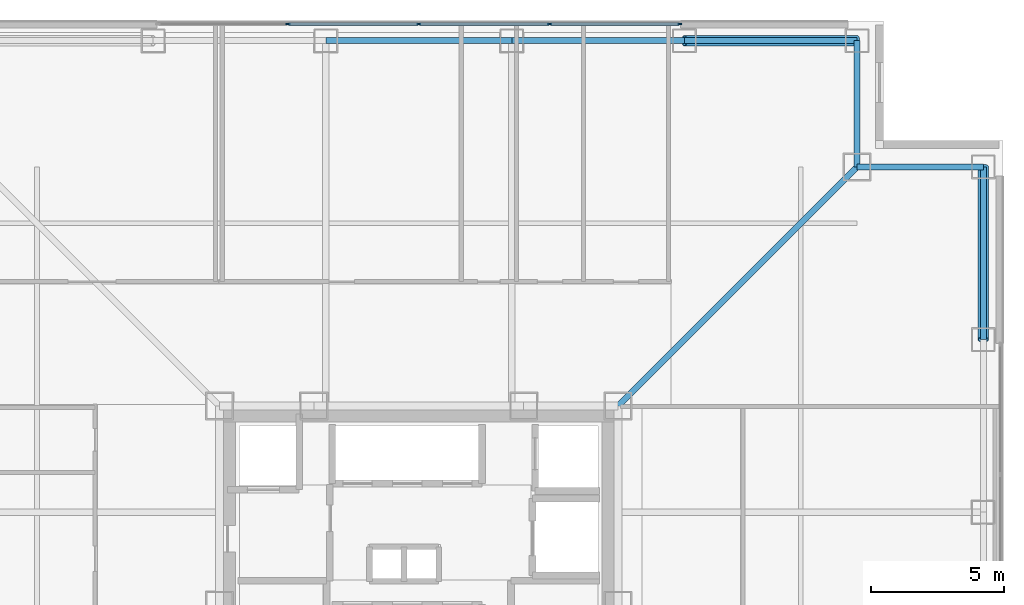
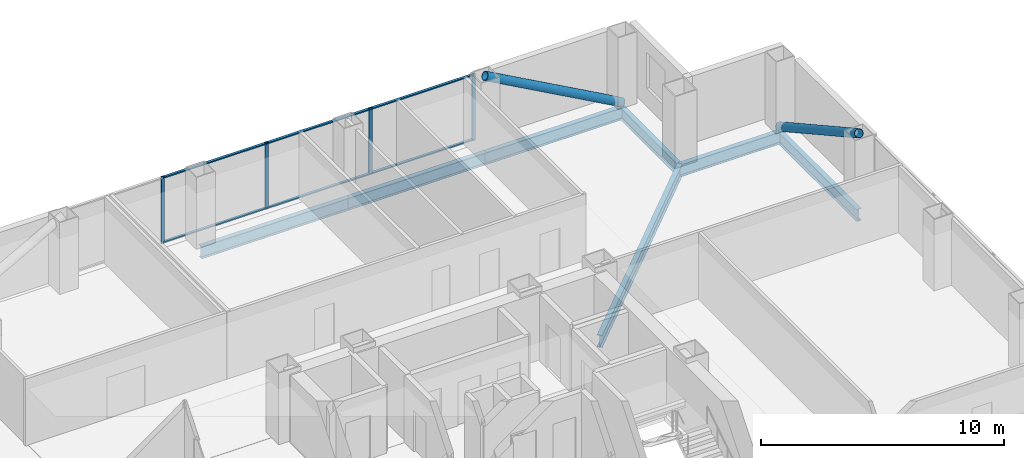
# One storey, part 10 of 16: 12 members, 7 beams, 1 element without a shape of its own.
"""IFC4 building model written with IfcOpenShell, lengths in metres."""

from ifc_helpers import new_model, si_unit, direction, frame, origin, origin_2d, place, context, subcontext, project, spatial, rectangle, hollow_circle, i_section, extrude, material, layer, layer_set, material_profile, profile_set, type_object, element, aggregate, save


model = new_model("IFC4")

# Units and contexts
model_context = context("Model", 3, precision=1e-05, world=origin(), true_north=direction((0.0, 1.0)))
body_context = subcontext(model_context, "Body", "Model", "MODEL_VIEW")
ifc_project = project(units=[si_unit("LENGTHUNIT", "METRE"), si_unit("AREAUNIT", "SQUARE_METRE"), si_unit("VOLUMEUNIT", "CUBIC_METRE"), si_unit("PLANEANGLEUNIT", "RADIAN"), si_unit("MASSUNIT", "GRAM", prefix="KILO")], contexts=[model_context])

# Site, building, storey
site_placement = place(None, origin())
site = spatial("IfcSite", under=ifc_project, at=site_placement, CompositionType="ELEMENT")
building_placement = place(site_placement, origin())
building = spatial("IfcBuilding", under=site, at=building_placement, Name="Trevonay Congress Spire", CompositionType="ELEMENT")
storey_placement = place(building_placement, frame((0.0, 0.0, 101.199951171875)))
storey = spatial("IfcBuildingStorey", under=building, at=storey_placement, Name="L25", CompositionType="ELEMENT", Elevation=101.199951171875)

# Beams
ifc_material_1 = material(Name="Steel ASTM A572 Grade 50", Category="steel")
ifc_material_profile_1 = material_profile(ifc_material_1, i_section(OverallWidth=0.22998046875, OverallDepth=0.616943359375, WebThickness=0.01318359375, FlangeThickness=0.022216796875, FilletRadius=0.01611328125, at=origin_2d()), Name="W610x140")
ifc_profile_set_1 = profile_set([ifc_material_profile_1], Name="Steel ASTM A572 Grade 50")
beam_type_1 = type_object("IfcBeamType", Name="BM-GIRD-W610X140", PredefinedType="BEAM", material=ifc_profile_set_1)
beam_1_placement = place(storey_placement, frame((7.5, 7.5, -0.54833984375), z_axis=(0.707106781187, 0.707106781187, 0.0), x_axis=(-0.707106781187, 0.707106781187, 0.0)))
element("IfcBeam", 1, at=beam_1_placement, inside=storey, type_object=beam_type_1, Name="L25 structural beam BM-L25-CDNE", PredefinedType="BEAM", context=body_context, shape_type="SweptSolid", body=[
    extrude(i_section(OverallWidth=0.22998046875, OverallDepth=0.616943359375, WebThickness=0.01318359375, FlangeThickness=0.022216796875, FilletRadius=0.01611328125, at=origin_2d()), origin(), (0.0, 0.0, 1.0), 12.72802734375),
])
ifc_material_profile_2 = material_profile(ifc_material_1, i_section(OverallWidth=0.22802734375, OverallDepth=0.60791015625, WebThickness=0.01123046875, FlangeThickness=0.017333984375, FilletRadius=0.01611328125, at=origin_2d()), Name="W610x113")
ifc_profile_set_2 = profile_set([ifc_material_profile_2], Name="Steel ASTM A572 Grade 50")
beam_type_2 = type_object("IfcBeamType", Name="BM-RING-W610X113", PredefinedType="BEAM", material=ifc_profile_set_2)
beam_2_placement = place(storey_placement, frame((-3.5, 21.25, -0.5439453125), z_axis=(1.0, 0.0, 0.0), x_axis=(0.0, 1.0, 0.0)))
element("IfcBeam", 2, at=beam_2_placement, inside=storey, type_object=beam_type_2, Name="L25 structural beam BM-L25-PN3", PredefinedType="BEAM", context=body_context, shape_type="SweptSolid", body=[
    extrude(i_section(OverallWidth=0.22802734375, OverallDepth=0.60791015625, WebThickness=0.01123046875, FlangeThickness=0.017333984375, FilletRadius=0.01611328125, at=origin_2d()), origin(), (0.0, 0.0, 1.0), 7.0),
])
for number, where, z_axis, x_axis, name in (
    (3, (3.5, 21.25, -0.5439453125), (1.0, 0.0, 0.0), (0.0, 1.0, 0.0), "L25 structural beam BM-L25-PN4"),
    (4, (10.0, 21.25, -0.5439453125), (1.0, 0.0, 0.0), (0.0, 1.0, 0.0), "L25 structural beam BM-L25-PN5"),
    (5, (21.25, 10.0, -0.5439453125), (0.0, 1.0, 0.0), (-1.0, 0.0, 0.0), "L25 structural beam BM-L25-PE5"),
):
    element("IfcBeam", number, at=place(storey_placement, frame(where, z_axis=z_axis, x_axis=x_axis)), inside=storey, type_object=beam_type_2, Name=name, PredefinedType="BEAM", context=body_context, shape_type="SweptSolid", body=[
        extrude(i_section(OverallWidth=0.22802734375, OverallDepth=0.60791015625, WebThickness=0.01123046875, FlangeThickness=0.017333984375, FilletRadius=0.01611328125, at=origin_2d()), origin(), (0.0, 0.0, 1.0), 6.5),
    ])
for number, where, z_axis, x_axis, name in (
    (6, (16.5, 21.25, -0.5439453125), (0.0, -1.0, 0.0), (1.0, 0.0, 0.0), "L25 structural beam BM-L25-N1NE"),
    (7, (21.25, 16.5, -0.5439453125), (-1.0, 0.0, 0.0), (0.0, -1.0, 0.0), "L25 structural beam BM-L25-N2NE"),
):
    element("IfcBeam", number, at=place(storey_placement, frame(where, z_axis=z_axis, x_axis=x_axis)), inside=storey, type_object=beam_type_2, Name=name, PredefinedType="BEAM", context=body_context, shape_type="SweptSolid", body=[
        extrude(i_section(OverallWidth=0.22802734375, OverallDepth=0.60791015625, WebThickness=0.01123046875, FlangeThickness=0.017333984375, FilletRadius=0.01611328125, at=origin_2d()), origin(), (0.0, 0.0, 1.0), 4.75),
    ])

# Curtain wall, members
ifc_material_2 = material(Name="Pale Anodised Aluminium EN AW-6063-T6", Category="aluminium")
ifc_layer = layer(ifc_material_2, 0.175048828125, Name="Pale Anodised Aluminium EN AW-6063-T6")
ifc_layer_set = layer_set([ifc_layer], Name="Pale Anodised Aluminium EN AW-6063-T6")
curtain_wall_type = type_object("IfcCurtainWallType", Name="CW-SYS03-CONGRESS-PALE-METAL", PredefinedType="NOTDEFINED", material=ifc_layer_set)
curtain_wall_placement = place(storey_placement, origin())
curtain_wall = element("IfcCurtainWall", 8, at=curtain_wall_placement, inside=storey, type_object=curtain_wall_type, Name="L25 N unitised curtain wall", PredefinedType="NOTDEFINED")
ifc_material_profile_3 = material_profile(ifc_material_2, rectangle(XDim=0.06005859375, YDim=0.159912109375, at=origin_2d()), Name="CW-MULLION-160-ALUMINIUM")
ifc_profile_set_3 = profile_set([ifc_material_profile_3], Name="Pale Anodised Aluminium EN AW-6063-T6")
member_type_1 = type_object("IfcMemberType", Name="CW-MULLION-160-ALUMINIUM", PredefinedType="MULLION", material=ifc_profile_set_3)
member_1_placement = place(storey_placement, frame((-4.925048828125, 21.8798828125, 0.0), z_axis=(0.0, 0.0, 1.0), x_axis=(0.0, 1.0, 0.0)))
member_1 = element("IfcMember", 9, at=member_1_placement, type_object=member_type_1, Name="CW03 mullion 2", PredefinedType="MULLION", context=body_context, shape_type="SweptSolid", body=[
    extrude(rectangle(XDim=0.06005859375, YDim=0.159912109375, at=origin_2d()), origin(), (0.0, 0.0, 1.0), 3.360107421875),
])
member_2_placement = place(storey_placement, frame((0.0, 21.8798828125, 0.0), z_axis=(0.0, 0.0, 1.0), x_axis=(0.0, 1.0, 0.0)))
member_2 = element("IfcMember", 10, at=member_2_placement, type_object=member_type_1, Name="CW03 mullion 3", PredefinedType="MULLION", context=body_context, shape_type="SweptSolid", body=[
    extrude(rectangle(XDim=0.06005859375, YDim=0.159912109375, at=origin_2d()), origin(), (0.0, 0.0, 1.0), 3.360107421875),
])
member_3_placement = place(storey_placement, frame((4.925048828125, 21.8798828125, 0.0), z_axis=(0.0, 0.0, 1.0), x_axis=(0.0, 1.0, 0.0)))
member_3 = element("IfcMember", 11, at=member_3_placement, type_object=member_type_1, Name="CW03 mullion 4", PredefinedType="MULLION", context=body_context, shape_type="SweptSolid", body=[
    extrude(rectangle(XDim=0.06005859375, YDim=0.159912109375, at=origin_2d()), origin(), (0.0, 0.0, 1.0), 3.360107421875),
])
member_4_placement = place(storey_placement, frame((9.820068359375, 21.8798828125, 0.0), z_axis=(0.0, 0.0, 1.0), x_axis=(0.0, 1.0, 0.0)))
member_4 = element("IfcMember", 12, at=member_4_placement, type_object=member_type_1, Name="CW03 mullion 5", PredefinedType="MULLION", context=body_context, shape_type="SweptSolid", body=[
    extrude(rectangle(XDim=0.06005859375, YDim=0.159912109375, at=origin_2d()), origin(), (0.0, 0.0, 1.0), 3.360107421875),
])
ifc_material_profile_4 = material_profile(ifc_material_2, rectangle(XDim=0.1201171875, YDim=0.06005859375, at=origin_2d()), Name="CW-TRANSOM-120-ALUMINIUM")
ifc_profile_set_4 = profile_set([ifc_material_profile_4], Name="Pale Anodised Aluminium EN AW-6063-T6")
member_type_2 = type_object("IfcMemberType", Name="CW-TRANSOM-120-ALUMINIUM", PredefinedType="USERDEFINED", material=ifc_profile_set_4)
member_5_placement = place(storey_placement, frame((-4.89501953125, 21.8798828125, 0.06005859375), z_axis=(1.0, 0.0, 0.0), x_axis=(0.0, 1.0, 0.0)))
member_5 = element("IfcMember", 13, at=member_5_placement, type_object=member_type_2, Name="CW03 transom 2.1", ObjectType="TRANSOM", PredefinedType="USERDEFINED", context=body_context, shape_type="SweptSolid", body=[
    extrude(rectangle(XDim=0.1201171875, YDim=0.06005859375, at=origin_2d()), origin(), (0.0, 0.0, 1.0), 4.864990234375),
])
member_6_placement = place(storey_placement, frame((-4.89501953125, 21.8798828125, 3.300048828125), z_axis=(1.0, 0.0, 0.0), x_axis=(0.0, 1.0, 0.0)))
member_6 = element("IfcMember", 14, at=member_6_placement, type_object=member_type_2, Name="CW03 transom 2.2", ObjectType="TRANSOM", PredefinedType="USERDEFINED", context=body_context, shape_type="SweptSolid", body=[
    extrude(rectangle(XDim=0.1201171875, YDim=0.06005859375, at=origin_2d()), origin(), (0.0, 0.0, 1.0), 4.864990234375),
])
member_7_placement = place(storey_placement, frame((0.030029296875, 21.8798828125, 0.06005859375), z_axis=(1.0, 0.0, 0.0), x_axis=(0.0, 1.0, 0.0)))
member_7 = element("IfcMember", 15, at=member_7_placement, type_object=member_type_2, Name="CW03 transom 3.1", ObjectType="TRANSOM", PredefinedType="USERDEFINED", context=body_context, shape_type="SweptSolid", body=[
    extrude(rectangle(XDim=0.1201171875, YDim=0.06005859375, at=origin_2d()), origin(), (0.0, 0.0, 1.0), 4.864990234375),
])
member_8_placement = place(storey_placement, frame((0.030029296875, 21.8798828125, 3.300048828125), z_axis=(1.0, 0.0, 0.0), x_axis=(0.0, 1.0, 0.0)))
member_8 = element("IfcMember", 16, at=member_8_placement, type_object=member_type_2, Name="CW03 transom 3.2", ObjectType="TRANSOM", PredefinedType="USERDEFINED", context=body_context, shape_type="SweptSolid", body=[
    extrude(rectangle(XDim=0.1201171875, YDim=0.06005859375, at=origin_2d()), origin(), (0.0, 0.0, 1.0), 4.864990234375),
])
member_9_placement = place(storey_placement, frame((4.955078125, 21.8798828125, 0.06005859375), z_axis=(1.0, 0.0, 0.0), x_axis=(0.0, 1.0, 0.0)))
member_9 = element("IfcMember", 17, at=member_9_placement, type_object=member_type_2, Name="CW03 transom 4.1", ObjectType="TRANSOM", PredefinedType="USERDEFINED", context=body_context, shape_type="SweptSolid", body=[
    extrude(rectangle(XDim=0.1201171875, YDim=0.06005859375, at=origin_2d()), origin(), (0.0, 0.0, 1.0), 4.8349609375),
])
member_10_placement = place(storey_placement, frame((4.955078125, 21.8798828125, 3.300048828125), z_axis=(1.0, 0.0, 0.0), x_axis=(0.0, 1.0, 0.0)))
member_10 = element("IfcMember", 18, at=member_10_placement, type_object=member_type_2, Name="CW03 transom 4.2", ObjectType="TRANSOM", PredefinedType="USERDEFINED", context=body_context, shape_type="SweptSolid", body=[
    extrude(rectangle(XDim=0.1201171875, YDim=0.06005859375, at=origin_2d()), origin(), (0.0, 0.0, 1.0), 4.8349609375),
])
aggregate(curtain_wall, [member_1, member_2, member_3, member_4, member_5, member_6, member_7, member_8, member_9, member_10])

# Members
ifc_material_3 = material(Name="Steel ASTM A500 Grade C", Category="steel")
ifc_material_profile_5 = material_profile(ifc_material_3, hollow_circle(Radius=0.203125, WallThickness=0.02001953125, at=origin_2d()), Name="CHS 406.4x20")
ifc_profile_set_5 = profile_set([ifc_material_profile_5], Name="Steel ASTM A500 Grade C")
member_type_3 = type_object("IfcMemberType", Name="MBR-TUBE-CHS406", PredefinedType="BRACE", material=ifc_profile_set_5)
for number, where, z_axis, x_axis, name in (
    (19, (16.5, 21.25, -0.050048828125), (-0.874785785626, 0.0, 0.484509885623), (0.0, -1.0, 0.0), "L25 perimeter braced-tube diagonal N4"),
    (20, (21.25, 16.5, -0.050048828125), (0.0, -0.874785785626, 0.484509885623), (1.0, 0.0, 0.0), "L25 perimeter braced-tube diagonal E4"),
):
    element("IfcMember", number, at=place(storey_placement, frame(where, z_axis=z_axis, x_axis=x_axis)), inside=storey, type_object=member_type_3, Name=name, PredefinedType="BRACE", context=body_context, shape_type="SweptSolid", body=[
        extrude(hollow_circle(Radius=0.203125, WallThickness=0.02001953125, at=origin_2d()), origin(), (0.0, 0.0, 1.0), 7.430419921875),
    ])

save(model, "model.ifc")
